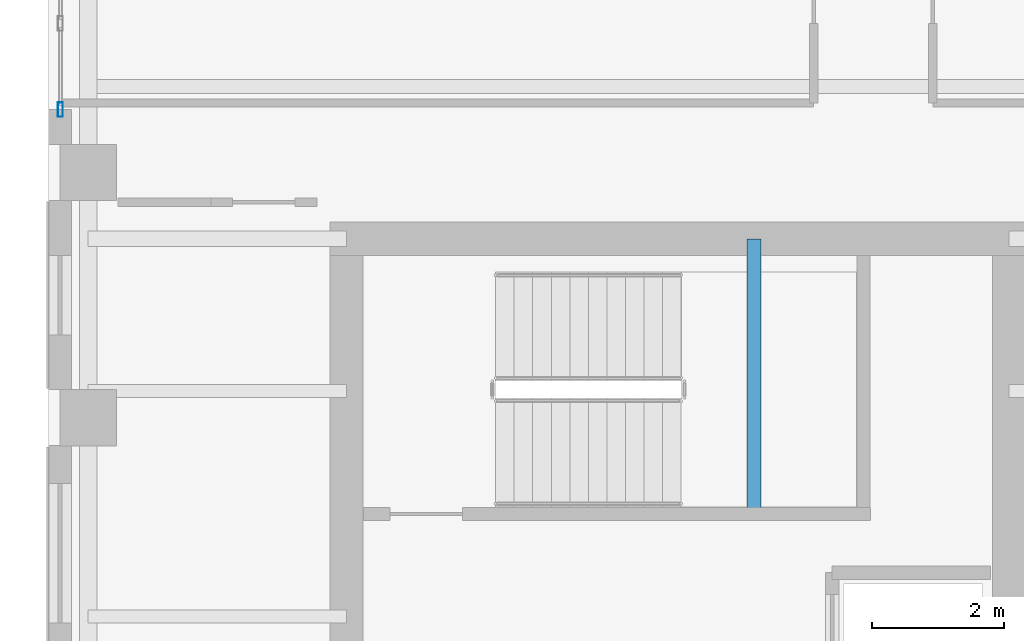
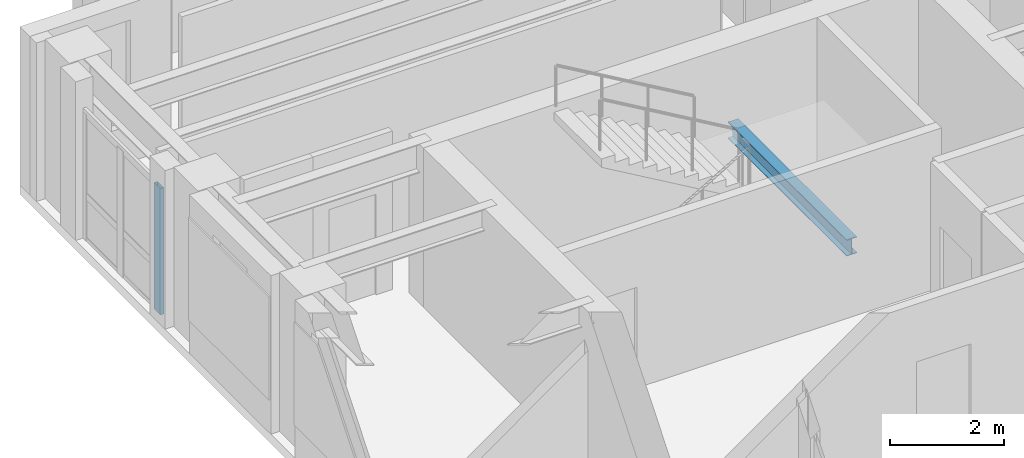
# One storey, part 2 of 13: 1 beam, 1 member, 1 element without a shape of its own.
"""IFC4 building model written with IfcOpenShell, lengths in metres."""

import ifcopenshell
import ifcopenshell.guid

model = None  # the IFC model being written
_history = None  # IfcOwnerHistory: only IFC2X3 demands one
_inside = {}  # id of a spatial element -> (the spatial element, [elements in it])
_under = {}  # id of a project, library or spatial element -> (it, [spatial elements below it])
_declared = {}  # id of a project -> (the project, [libraries it declares])
_typed = {}  # id of a type object -> (the type object, [elements of that type])
_made_of = {}  # id of a material, layer set ... -> (it, [elements and type objects made of it])


def new_model(schema):
    """Start an empty IFC model of exactly this schema.

    Asked for "IFC4X3", IfcOpenShell would pick the latest addendum, in which some entities
    have other attributes; the version numbers below select the first issue.
    IFC2X3 requires an IfcOwnerHistory on every rooted entity: one is made here for all.
    """
    global model, _history
    if schema == "IFC4X3":
        model = ifcopenshell.file(schema_version=(4, 3, 0, 0))
    else:
        model = ifcopenshell.file(schema=schema)
    _inside.clear()
    _under.clear()
    _declared.clear()
    _typed.clear()
    _made_of.clear()
    _history = None
    if model.schema == "IFC2X3":
        org = make("IfcOrganization", Name="unknown")
        user = make(
            "IfcPersonAndOrganization",
            ThePerson=make("IfcPerson", FamilyName="unknown"),
            TheOrganization=org,
        )
        app = make(
            "IfcApplication",
            ApplicationDeveloper=org,
            Version="unknown",
            ApplicationFullName="unknown",
            ApplicationIdentifier="unknown",
        )
        _history = make(
            "IfcOwnerHistory",
            OwningUser=user,
            OwningApplication=app,
            ChangeAction="ADDED",
            CreationDate=0,
        )
    return model


def make(cls, **values):
    """One entity of the class cls with the attributes given. An attribute that is None is left unset."""
    return model.create_entity(
        cls, **{name: value for name, value in values.items() if value is not None}
    )


def rooted(cls, **values):
    """An entity with a GlobalId (a new one), such as an element, a storey or a relation."""
    return make(cls, GlobalId=ifcopenshell.guid.new(), OwnerHistory=_history, **values)


def si_unit(unit_type, name, prefix=None):
    """IfcSIUnit, for example si_unit("LENGTHUNIT", "METRE", prefix="MILLI")."""
    return make("IfcSIUnit", UnitType=unit_type, Prefix=prefix, Name=name)


def assignment(units):
    """IfcUnitAssignment: the units of a project."""
    return None if units is None else make("IfcUnitAssignment", Units=units)


def point(xyz):
    """IfcCartesianPoint."""
    return None if xyz is None else make("IfcCartesianPoint", Coordinates=xyz)


def direction(xyz):
    """IfcDirection."""
    return None if xyz is None else make("IfcDirection", DirectionRatios=xyz)


def frame(location, z_axis=None, x_axis=None):
    """IfcAxis2Placement3D, a coordinate frame: its origin and axes. An axis left out is left unset."""
    return make(
        "IfcAxis2Placement3D",
        Location=point(location),
        Axis=direction(z_axis),
        RefDirection=direction(x_axis),
    )


def frame_2d(location, x_axis=None):
    """IfcAxis2Placement2D, a coordinate frame in the plane: its origin and x axis."""
    return make(
        "IfcAxis2Placement2D", Location=point(location), RefDirection=direction(x_axis)
    )


def origin():
    """The frame at (0, 0, 0) with its axes left unset."""
    return frame((0.0, 0.0, 0.0))


def origin_2d():
    """The frame at (0, 0) in the plane with its x axis left unset."""
    return frame_2d((0.0, 0.0))


def place(relative_to, where):
    """IfcLocalPlacement: puts the frame where relative to a parent placement (None: the world)."""
    return make(
        "IfcLocalPlacement", PlacementRelTo=relative_to, RelativePlacement=where
    )


def context(
    kind, dimensions, precision=None, world=None, true_north=None, identifier=None
):
    """IfcGeometricRepresentationContext, for example the 3D "Model" context."""
    return make(
        "IfcGeometricRepresentationContext",
        ContextIdentifier=identifier,
        ContextType=kind,
        CoordinateSpaceDimension=dimensions,
        Precision=precision,
        WorldCoordinateSystem=world,
        TrueNorth=true_north,
    )


def subcontext(parent, identifier, kind, view, scale=None):
    """IfcGeometricRepresentationSubContext, for example "Body" below "Model"."""
    return make(
        "IfcGeometricRepresentationSubContext",
        ContextIdentifier=identifier,
        ContextType=kind,
        ParentContext=parent,
        TargetScale=scale,
        TargetView=view,
    )


def project(units=None, contexts=None):
    """IfcProject with its units and contexts."""
    return rooted(
        "IfcProject",
        Name="project",
        RepresentationContexts=contexts,
        UnitsInContext=assignment(units),
    )


def spatial(cls, under=None, at=None, **own):
    """A site, building, storey or space (cls), placed at a placement, below another one or the project."""
    s = rooted(cls, ObjectPlacement=at, **own)
    if under is not None:
        _under.setdefault(under.id(), (under, []))[1].append(s)
    return s


def profile(cls, at=None, kind="AREA", **sizes):
    """A parametric profile (cls). Its sizes go by their IFC names, for example OverallWidth=200.0."""
    return make(cls, ProfileType=kind, Position=at, **sizes)


def hollow_rectangle(**sizes):
    """IfcRectangleHollowProfileDef."""
    return profile("IfcRectangleHollowProfileDef", **sizes)


def i_section(**sizes):
    """IfcIShapeProfileDef."""
    return profile("IfcIShapeProfileDef", **sizes)


def extrude(swept, where, along, depth):
    """IfcExtrudedAreaSolid: the profile swept, set in the frame where, extruded along a direction by depth."""
    return make(
        "IfcExtrudedAreaSolid",
        SweptArea=swept,
        Position=where,
        ExtrudedDirection=direction(along),
        Depth=depth,
    )


def shape(context_of_items, identifier, shape_type, items):
    """IfcShapeRepresentation: the items that make up one representation, for example the "Body"."""
    return make(
        "IfcShapeRepresentation",
        ContextOfItems=context_of_items,
        RepresentationIdentifier=identifier,
        RepresentationType=shape_type,
        Items=items,
    )


def source(mapping_origin, context_of_items, identifier, shape_type, items):
    """IfcRepresentationMap: a shape defined once, which mapped items show again and again."""
    return make(
        "IfcRepresentationMap",
        MappingOrigin=mapping_origin,
        MappedRepresentation=shape(context_of_items, identifier, shape_type, items),
    )


def transform(
    local_origin,
    x_axis=None,
    y_axis=None,
    z_axis=None,
    scale=None,
    scale2=None,
    scale3=None,
    uniform=True,
):
    """IfcCartesianTransformationOperator3D, or its non-uniform kind. x_axis, y_axis, z_axis: its Axis1, 2, 3."""
    if uniform:
        return make(
            "IfcCartesianTransformationOperator3D",
            Axis1=direction(x_axis),
            Axis2=direction(y_axis),
            LocalOrigin=point(local_origin),
            Scale=scale,
            Axis3=direction(z_axis),
        )
    return make(
        "IfcCartesianTransformationOperator3DnonUniform",
        Axis1=direction(x_axis),
        Axis2=direction(y_axis),
        LocalOrigin=point(local_origin),
        Scale=scale,
        Axis3=direction(z_axis),
        Scale2=scale2,
        Scale3=scale3,
    )


def mapped(mapping_source, mapping_target):
    """IfcMappedItem: shows the shape of a source again, moved by a transform."""
    return make(
        "IfcMappedItem", MappingSource=mapping_source, MappingTarget=mapping_target
    )


def material(Name=None, Category=None):
    """IfcMaterial."""
    return make("IfcMaterial", Name=Name, Category=Category)


def layer(
    of_material, thickness, ventilated=None, Name=None, Category=None, Priority=None
):
    """IfcMaterialLayer: one layer of a wall or slab, of a material (None: an air gap)."""
    return make(
        "IfcMaterialLayer",
        Material=of_material,
        LayerThickness=thickness,
        IsVentilated=ventilated,
        Name=Name,
        Category=Category,
        Priority=Priority,
    )


def layer_set(layers, Name=None):
    """IfcMaterialLayerSet."""
    return make("IfcMaterialLayerSet", MaterialLayers=layers, LayerSetName=Name)


def material_profile(
    of_material, cross_section, Name=None, Category=None, Priority=None
):
    """IfcMaterialProfile: a cross section and its material."""
    return make(
        "IfcMaterialProfile",
        Name=Name,
        Material=of_material,
        Profile=cross_section,
        Priority=Priority,
        Category=Category,
    )


def profile_set(profiles, Name=None, composite=None):
    """IfcMaterialProfileSet."""
    return make(
        "IfcMaterialProfileSet",
        Name=Name,
        MaterialProfiles=profiles,
        CompositeProfile=composite,
    )


def made_of(thing, what):
    """Note that an element or type object is made of a material, layer set ...; save() writes the relation."""
    if what is not None:
        _made_of.setdefault(what.id(), (what, []))[1].append(thing)
    return thing


def type_object(cls, material=None, **own):
    """A type object (cls), such as IfcWallType, which elements share."""
    return made_of(rooted(cls, **own), material)


def element(
    cls,
    number,
    at=None,
    inside=None,
    cuts=None,
    type_object=None,
    material=None,
    context=None,
    identifier="Body",
    shape_type=None,
    held_by="IfcProductDefinitionShape",
    body=None,
    shapes=None,
    **own,
):
    """One element of the class cls, such as IfcWall. Its Tag is "e" and its number.

    at: its placement. inside: the storey or other place that contains it. cuts: it is an
    opening in that element (IfcRelVoidsElement). A single representation is given by context,
    identifier, shape_type and body (its items); several are given by shapes. held_by: the class
    of the entity that holds the representations. save() writes the other relations.
    """
    e = rooted(cls, Tag="e%d" % number, ObjectPlacement=at, **own)
    if body is not None:
        shapes = [shape(context, identifier, shape_type, body)]
    if shapes is not None:
        e.Representation = make(held_by, Representations=shapes)
    if inside is not None:
        _inside.setdefault(inside.id(), (inside, []))[1].append(e)
    if cuts is not None:
        rooted(
            "IfcRelVoidsElement", RelatingBuildingElement=cuts, RelatedOpeningElement=e
        )
    if type_object is not None:
        _typed.setdefault(type_object.id(), (type_object, []))[1].append(e)
    return made_of(e, material)


def aggregate(whole, parts):
    """IfcRelAggregates: a whole, such as a stair, and the parts it consists of."""
    return rooted("IfcRelAggregates", RelatingObject=whole, RelatedObjects=parts)


def save(model, path):
    """Write the relations noted so far, then the file.

    IfcRelAggregates (storeys below a building ...), IfcRelContainedInSpatialStructure (elements
    in a storey), IfcRelDefinesByType, IfcRelAssociatesMaterial and IfcRelDeclares: one each for
    every whole, place, type object, material and project.
    """
    for whole, parts in _under.values():
        aggregate(whole, parts)
    for where, things in _inside.values():
        rooted(
            "IfcRelContainedInSpatialStructure",
            RelatedElements=things,
            RelatingStructure=where,
        )
    for kind, things in _typed.values():
        rooted("IfcRelDefinesByType", RelatedObjects=things, RelatingType=kind)
    for what, things in _made_of.values():
        rooted("IfcRelAssociatesMaterial", RelatedObjects=things, RelatingMaterial=what)
    for by, libraries in _declared.values():
        rooted("IfcRelDeclares", RelatingContext=by, RelatedDefinitions=libraries)
    model.write(path)


model = new_model("IFC4")

# Units and contexts
model_context = context("Model", 3, precision=1e-05, world=origin(), true_north=direction((0.0, 1.0)))
body_context = subcontext(model_context, "Body", "Model", "MODEL_VIEW")
ifc_project = project(units=[si_unit("LENGTHUNIT", "METRE"), si_unit("AREAUNIT", "SQUARE_METRE"), si_unit("VOLUMEUNIT", "CUBIC_METRE"), si_unit("PLANEANGLEUNIT", "RADIAN"), si_unit("MASSUNIT", "GRAM", prefix="KILO")], contexts=[model_context])

# Site, building, storey
site_placement = place(None, origin())
site = spatial("IfcSite", under=ifc_project, at=site_placement, CompositionType="ELEMENT")
building_placement = place(site_placement, origin())
building = spatial("IfcBuilding", under=site, at=building_placement, Name="Kharzan Plaza Tower", CompositionType="ELEMENT")
storey_placement = place(building_placement, frame((0.0, 0.0, 244.800048828125)))
storey = spatial("IfcBuildingStorey", under=building, at=storey_placement, Name="L66", CompositionType="ELEMENT", Elevation=244.800048828125)

# Beam
ifc_material_1 = material(Name="Steel S355", Category="steel")
ifc_material_profile_1 = material_profile(ifc_material_1, i_section(OverallWidth=0.205078125, OverallDepth=0.35400390625, WebThickness=0.009521484375, FlangeThickness=0.016845703125, at=origin_2d()), Name="W360x79")
ifc_profile_set_1 = profile_set([ifc_material_profile_1], Name="Steel S355")
beam_type = type_object("IfcBeamType", Name="BM-LNT360", PredefinedType="LINTEL", material=ifc_profile_set_1)
shared_shape_1 = source(origin(), body_context, "Body", "SweptSolid", [
    extrude(i_section(OverallWidth=0.205078125, OverallDepth=0.35400390625, WebThickness=0.009521484375, FlangeThickness=0.016845703125, at=origin_2d()), origin(), (0.0, 0.0, 1.0), 4.155029296875),
])
beam_placement = place(storey_placement, frame((10.64990234375, 25.344970703125, 1.4228515625), z_axis=(0.0, 1.0, 0.0), x_axis=(-1.0, 0.0, 0.0)))
element("IfcBeam", 1, at=beam_placement, inside=storey, type_object=beam_type, Name="L66 Stair ST-2 Half-Landing Beam", PredefinedType="LINTEL", context=body_context, shape_type="MappedRepresentation", body=[
    mapped(shared_shape_1, transform((0.0, 0.0, 0.0), x_axis=(1.0, 0.0, 0.0), y_axis=(0.0, 1.0, 0.0), z_axis=(0.0, 0.0, 1.0))),
])

# Curtain wall, member
ifc_material_2 = material(Name="Unitised Bronze-Anodized Aluminium and Low-E Glass", Category="aluminium")
ifc_layer = layer(ifc_material_2, 0.199951171875)
ifc_layer_set = layer_set([ifc_layer], Name="Unitised Bronze-Anodized Aluminium and Low-E Glass")
curtain_wall_type = type_object("IfcCurtainWallType", Name="CW-EXEC-5", PredefinedType="NOTDEFINED", material=ifc_layer_set)
curtain_wall_placement = place(storey_placement, origin())
curtain_wall = element("IfcCurtainWall", 2, at=curtain_wall_placement, inside=storey, type_object=curtain_wall_type, Name="L66 Upper Executive Setback Panoramic Curtain Wall", PredefinedType="NOTDEFINED")
ifc_material_3 = material(Name="Anodized Bronze Aluminium", Category="aluminium")
ifc_material_profile_2 = material_profile(ifc_material_3, hollow_rectangle(XDim=0.074951171875, YDim=0.219970703125, WallThickness=0.00390625, at=origin_2d()), Name="ALU-M220x75x4")
ifc_profile_set_2 = profile_set([ifc_material_profile_2], Name="Anodized Bronze Aluminium")
member_type = type_object("IfcMemberType", Name="MEM-CW-MUL200", PredefinedType="MULLION", material=ifc_profile_set_2)
shared_shape_2 = source(origin(), body_context, "Body", "SweptSolid", [
    extrude(hollow_rectangle(XDim=0.074951171875, YDim=0.219970703125, WallThickness=0.00390625, at=origin_2d()), origin(), (0.0, 0.0, 1.0), 2.699951171875),
])
member_placement = place(storey_placement, frame((0.179931640625, 31.449951171875, 0.0), z_axis=(0.0, 0.0, 1.0), x_axis=(1.0, 0.0, 0.0)))
member = element("IfcMember", 3, at=member_placement, type_object=member_type, Name="L66 Curtain-Wall Mullion 00", PredefinedType="MULLION", context=body_context, shape_type="MappedRepresentation", body=[
    mapped(shared_shape_2, transform((0.0, 0.0, 0.0), x_axis=(1.0, 0.0, 0.0), y_axis=(0.0, 1.0, 0.0), z_axis=(0.0, 0.0, 1.0))),
])
aggregate(curtain_wall, [member])

save(model, "model.ifc")
